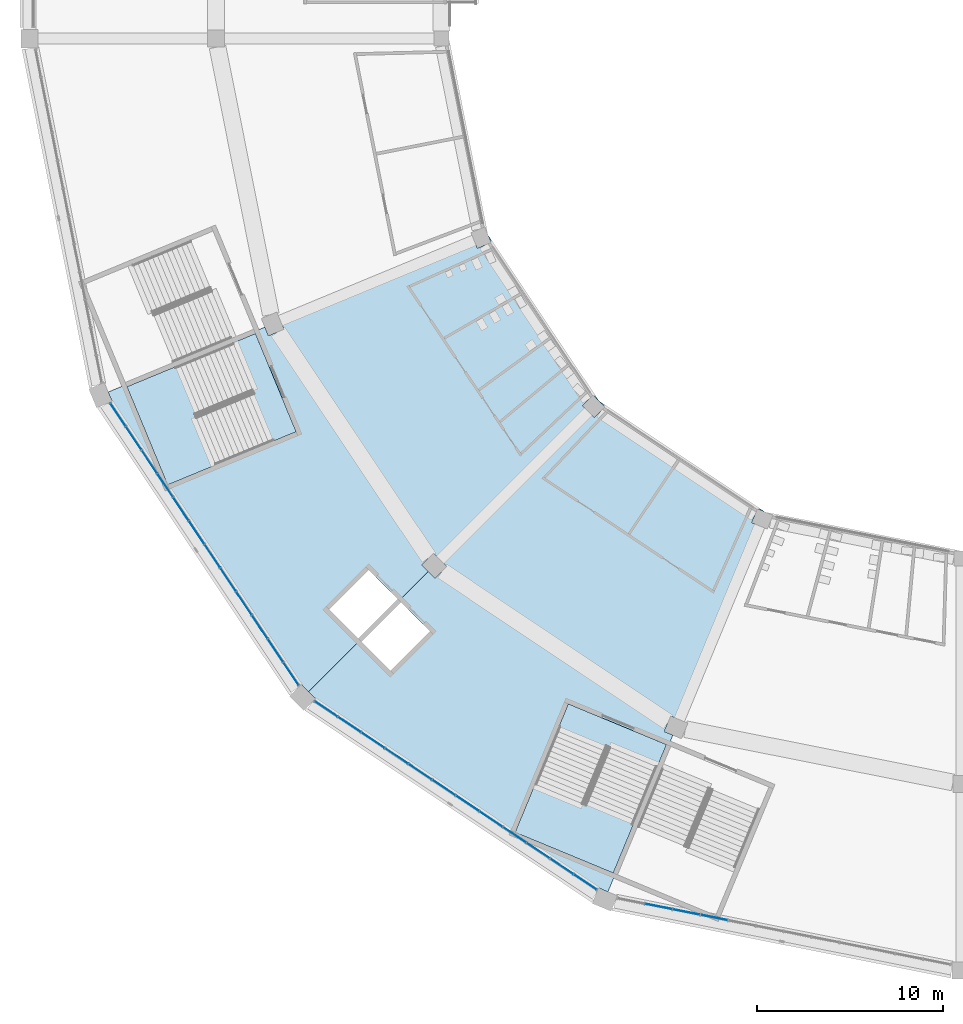
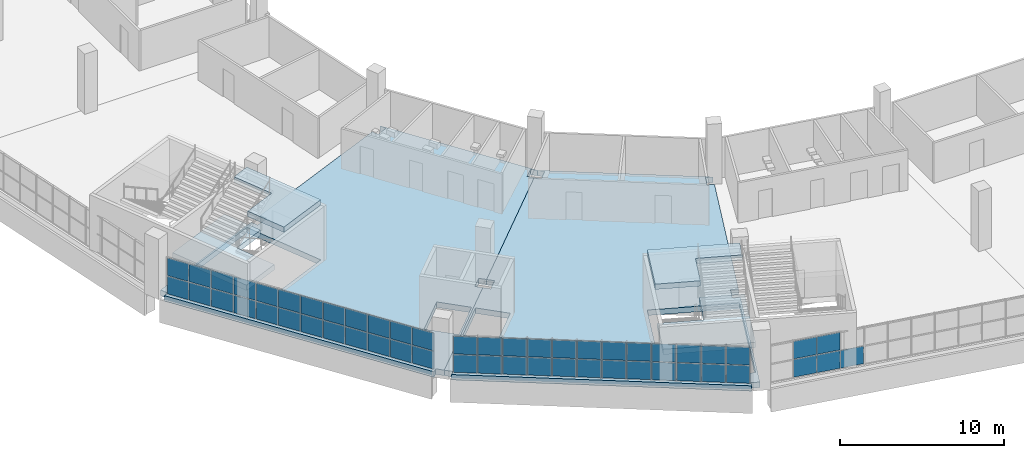
# One storey, part 55 of 199: 53 plates, 6 slabs, 5 elements without a shape of their own.
"""IFC4 building model written with IfcOpenShell, lengths in metres."""

from ifc_helpers import new_model, si_unit, direction, frame, origin, origin_2d, place, context, subcontext, project, spatial, polyline, rectangle, outline, extrude, material, layer, layer_set, type_object, element, aggregate, save


model = new_model("IFC4")

# Units and contexts
model_context = context("Model", 3, precision=1e-05, world=origin(), true_north=direction((0.0, 1.0)))
body_context = subcontext(model_context, "Body", "Model", "MODEL_VIEW")
ifc_project = project(units=[si_unit("LENGTHUNIT", "METRE"), si_unit("AREAUNIT", "SQUARE_METRE"), si_unit("VOLUMEUNIT", "CUBIC_METRE"), si_unit("PLANEANGLEUNIT", "RADIAN"), si_unit("MASSUNIT", "GRAM", prefix="KILO")], contexts=[model_context])

# Site, building, storey
site_placement = place(None, origin())
site = spatial("IfcSite", under=ifc_project, at=site_placement, CompositionType="ELEMENT")
building_placement = place(site_placement, origin())
building = spatial("IfcBuilding", under=site, at=building_placement, Name="Ogive Plaza Stadium", CompositionType="ELEMENT")
storey_placement = place(building_placement, frame((0.0, 0.0, 9.0)))
storey = spatial("IfcBuildingStorey", under=building, at=storey_placement, Name="L02", CompositionType="ELEMENT", Elevation=9.0)

# Curtain wall, plates
ifc_material_1 = material(Name="Bronze-anodised aluminium with laminated glass", Category="aluminium")
curtain_wall_type = type_object("IfcCurtainWallType", Name="Lancet curtain wall", PredefinedType="NOTDEFINED", material=ifc_material_1)
curtain_wall_1_placement = place(storey_placement, origin())
curtain_wall_1 = element("IfcCurtainWall", 1, at=curtain_wall_1_placement, inside=storey, type_object=curtain_wall_type, Name="CURTAIN WALL B17 L02", PredefinedType="NOTDEFINED")
ifc_material_2 = material(Name="Laminated glass", Category="glass")
ifc_layer_1 = layer(ifc_material_2, 0.028076171875)
ifc_layer_set_1 = layer_set([ifc_layer_1], Name="Laminated glass panel 28")
plate_type = type_object("IfcPlateType", Name="Laminated glass panel 28", PredefinedType="CURTAIN_PANEL", material=ifc_layer_set_1)
plate_1_placement = place(storey_placement, frame((-47.2607421875, -99.658447265625, 0.0498046875), z_axis=(0.0, 0.0, 1.0), x_axis=(-0.9807852804, 0.195090322033, 0.0)))
plate_1 = element("IfcPlate", 2, at=plate_1_placement, type_object=plate_type, Name="CW-B17-L02 panel 9.1", PredefinedType="CURTAIN_PANEL", context=body_context, shape_type="SweptSolid", body=[
    extrude(rectangle(XDim=1.472412109375, YDim=0.028076171875, at=origin_2d()), origin(), (0.0, 0.0, 1.0), 1.320068359375),
])
plate_2_placement = place(storey_placement, frame((-48.75390625, -99.361328125, 0.0498046875), z_axis=(0.0, 0.0, 1.0), x_axis=(-0.9807852804, 0.195090322033, 0.0)))
plate_2 = element("IfcPlate", 3, at=plate_2_placement, type_object=plate_type, Name="CW-B17-L02 panel 10.1", PredefinedType="CURTAIN_PANEL", context=body_context, shape_type="SweptSolid", body=[
    extrude(rectangle(XDim=1.472412109375, YDim=0.028076171875, at=origin_2d()), origin(), (0.0, 0.0, 1.0), 1.320068359375),
])
plate_3_placement = place(storey_placement, frame((-48.75390625, -99.361328125, 1.419921875), z_axis=(0.0, 0.0, 1.0), x_axis=(-0.9807852804, 0.195090322033, 0.0)))
plate_3 = element("IfcPlate", 4, at=plate_3_placement, type_object=plate_type, Name="CW-B17-L02 panel 10.2", PredefinedType="CURTAIN_PANEL", context=body_context, shape_type="SweptSolid", body=[
    extrude(rectangle(XDim=1.472412109375, YDim=0.028076171875, at=origin_2d()), origin(), (0.0, 0.0, 1.0), 1.320068359375),
])
plate_4_placement = place(storey_placement, frame((-50.2470703125, -99.064453125, 0.0498046875), z_axis=(0.0, 0.0, 1.0), x_axis=(-0.9807852804, 0.195090322033, 0.0)))
plate_4 = element("IfcPlate", 5, at=plate_4_placement, type_object=plate_type, Name="CW-B17-L02 panel 11.1", PredefinedType="CURTAIN_PANEL", context=body_context, shape_type="SweptSolid", body=[
    extrude(rectangle(XDim=1.472412109375, YDim=0.028076171875, at=origin_2d()), origin(), (0.0, 0.0, 1.0), 1.320068359375),
])
plate_5_placement = place(storey_placement, frame((-50.2470703125, -99.064453125, 1.419921875), z_axis=(0.0, 0.0, 1.0), x_axis=(-0.9807852804, 0.195090322033, 0.0)))
plate_5 = element("IfcPlate", 6, at=plate_5_placement, type_object=plate_type, Name="CW-B17-L02 panel 11.2", PredefinedType="CURTAIN_PANEL", context=body_context, shape_type="SweptSolid", body=[
    extrude(rectangle(XDim=1.472412109375, YDim=0.028076171875, at=origin_2d()), origin(), (0.0, 0.0, 1.0), 1.320068359375),
])
aggregate(curtain_wall_1, [plate_1, plate_2, plate_3, plate_4, plate_5])

curtain_wall_2_placement = place(storey_placement, origin())
curtain_wall_2 = element("IfcCurtainWall", 7, at=curtain_wall_2_placement, inside=storey, type_object=curtain_wall_type, Name="CURTAIN WALL B18 L02", PredefinedType="NOTDEFINED")
plate_6_placement = place(storey_placement, frame((-54.18212890625, -97.753173828125, 0.0498046875), z_axis=(0.0, 0.0, 1.0), x_axis=(-0.831469612303, 0.55557023302, 0.0)))
plate_6 = element("IfcPlate", 8, at=plate_6_placement, type_object=plate_type, Name="CW-B18-L02 panel 1.1", PredefinedType="CURTAIN_PANEL", context=body_context, shape_type="SweptSolid", body=[
    extrude(rectangle(XDim=1.447265625, YDim=0.028076171875, at=origin_2d()), origin(), (0.0, 0.0, 1.0), 1.320068359375),
])
plate_7_placement = place(storey_placement, frame((-54.18212890625, -97.753173828125, 1.419921875), z_axis=(0.0, 0.0, 1.0), x_axis=(-0.831469612303, 0.55557023302, 0.0)))
plate_7 = element("IfcPlate", 9, at=plate_7_placement, type_object=plate_type, Name="CW-B18-L02 panel 1.2", PredefinedType="CURTAIN_PANEL", context=body_context, shape_type="SweptSolid", body=[
    extrude(rectangle(XDim=1.447265625, YDim=0.028076171875, at=origin_2d()), origin(), (0.0, 0.0, 1.0), 1.320068359375),
])
plate_8_placement = place(storey_placement, frame((-55.4375, -96.914306640625, 0.0498046875), z_axis=(0.0, 0.0, 1.0), x_axis=(-0.831469612303, 0.55557023302, 0.0)))
plate_8 = element("IfcPlate", 10, at=plate_8_placement, type_object=plate_type, Name="CW-B18-L02 panel 2.1", PredefinedType="CURTAIN_PANEL", context=body_context, shape_type="SweptSolid", body=[
    extrude(rectangle(XDim=1.472412109375, YDim=0.028076171875, at=origin_2d()), origin(), (0.0, 0.0, 1.0), 1.320068359375),
])
plate_9_placement = place(storey_placement, frame((-55.4375, -96.914306640625, 1.419921875), z_axis=(0.0, 0.0, 1.0), x_axis=(-0.831469612303, 0.55557023302, 0.0)))
plate_9 = element("IfcPlate", 11, at=plate_9_placement, type_object=plate_type, Name="CW-B18-L02 panel 2.2", PredefinedType="CURTAIN_PANEL", context=body_context, shape_type="SweptSolid", body=[
    extrude(rectangle(XDim=1.472412109375, YDim=0.028076171875, at=origin_2d()), origin(), (0.0, 0.0, 1.0), 1.320068359375),
])
plate_10_placement = place(storey_placement, frame((-56.703369140625, -96.068603515625, 0.0498046875), z_axis=(0.0, 0.0, 1.0), x_axis=(-0.831469612303, 0.55557023302, 0.0)))
plate_10 = element("IfcPlate", 12, at=plate_10_placement, type_object=plate_type, Name="CW-B18-L02 panel 3.1", PredefinedType="CURTAIN_PANEL", context=body_context, shape_type="SweptSolid", body=[
    extrude(rectangle(XDim=1.472412109375, YDim=0.028076171875, at=origin_2d()), origin(), (0.0, 0.0, 1.0), 1.320068359375),
])
plate_11_placement = place(storey_placement, frame((-56.703369140625, -96.068603515625, 1.419921875), z_axis=(0.0, 0.0, 1.0), x_axis=(-0.831469612303, 0.55557023302, 0.0)))
plate_11 = element("IfcPlate", 13, at=plate_11_placement, type_object=plate_type, Name="CW-B18-L02 panel 3.2", PredefinedType="CURTAIN_PANEL", context=body_context, shape_type="SweptSolid", body=[
    extrude(rectangle(XDim=1.472412109375, YDim=0.028076171875, at=origin_2d()), origin(), (0.0, 0.0, 1.0), 1.320068359375),
])
plate_12_placement = place(storey_placement, frame((-57.96923828125, -95.222900390625, 0.0498046875), z_axis=(0.0, 0.0, 1.0), x_axis=(-0.831469612303, 0.55557023302, 0.0)))
plate_12 = element("IfcPlate", 14, at=plate_12_placement, type_object=plate_type, Name="CW-B18-L02 panel 4.1", PredefinedType="CURTAIN_PANEL", context=body_context, shape_type="SweptSolid", body=[
    extrude(rectangle(XDim=1.472412109375, YDim=0.028076171875, at=origin_2d()), origin(), (0.0, 0.0, 1.0), 1.320068359375),
])
plate_13_placement = place(storey_placement, frame((-57.96923828125, -95.222900390625, 1.419921875), z_axis=(0.0, 0.0, 1.0), x_axis=(-0.831469612303, 0.55557023302, 0.0)))
plate_13 = element("IfcPlate", 15, at=plate_13_placement, type_object=plate_type, Name="CW-B18-L02 panel 4.2", PredefinedType="CURTAIN_PANEL", context=body_context, shape_type="SweptSolid", body=[
    extrude(rectangle(XDim=1.472412109375, YDim=0.028076171875, at=origin_2d()), origin(), (0.0, 0.0, 1.0), 1.320068359375),
])
plate_14_placement = place(storey_placement, frame((-59.23486328125, -94.376953125, 0.0498046875), z_axis=(0.0, 0.0, 1.0), x_axis=(-0.831469612303, 0.55557023302, 0.0)))
plate_14 = element("IfcPlate", 16, at=plate_14_placement, type_object=plate_type, Name="CW-B18-L02 panel 5.1", PredefinedType="CURTAIN_PANEL", context=body_context, shape_type="SweptSolid", body=[
    extrude(rectangle(XDim=1.472412109375, YDim=0.028076171875, at=origin_2d()), origin(), (0.0, 0.0, 1.0), 1.320068359375),
])
plate_15_placement = place(storey_placement, frame((-59.23486328125, -94.376953125, 1.419921875), z_axis=(0.0, 0.0, 1.0), x_axis=(-0.831469612303, 0.55557023302, 0.0)))
plate_15 = element("IfcPlate", 17, at=plate_15_placement, type_object=plate_type, Name="CW-B18-L02 panel 5.2", PredefinedType="CURTAIN_PANEL", context=body_context, shape_type="SweptSolid", body=[
    extrude(rectangle(XDim=1.472412109375, YDim=0.028076171875, at=origin_2d()), origin(), (0.0, 0.0, 1.0), 1.320068359375),
])
plate_16_placement = place(storey_placement, frame((-60.500732421875, -93.53125, 0.0498046875), z_axis=(0.0, 0.0, 1.0), x_axis=(-0.831469612303, 0.55557023302, 0.0)))
plate_16 = element("IfcPlate", 18, at=plate_16_placement, type_object=plate_type, Name="CW-B18-L02 panel 6.1", PredefinedType="CURTAIN_PANEL", context=body_context, shape_type="SweptSolid", body=[
    extrude(rectangle(XDim=1.472412109375, YDim=0.028076171875, at=origin_2d()), origin(), (0.0, 0.0, 1.0), 1.320068359375),
])
plate_17_placement = place(storey_placement, frame((-60.500732421875, -93.53125, 1.419921875), z_axis=(0.0, 0.0, 1.0), x_axis=(-0.831469612303, 0.55557023302, 0.0)))
plate_17 = element("IfcPlate", 19, at=plate_17_placement, type_object=plate_type, Name="CW-B18-L02 panel 6.2", PredefinedType="CURTAIN_PANEL", context=body_context, shape_type="SweptSolid", body=[
    extrude(rectangle(XDim=1.472412109375, YDim=0.028076171875, at=origin_2d()), origin(), (0.0, 0.0, 1.0), 1.320068359375),
])
plate_18_placement = place(storey_placement, frame((-61.7666015625, -92.685546875, 0.0498046875), z_axis=(0.0, 0.0, 1.0), x_axis=(-0.831469612303, 0.55557023302, 0.0)))
plate_18 = element("IfcPlate", 20, at=plate_18_placement, type_object=plate_type, Name="CW-B18-L02 panel 7.1", PredefinedType="CURTAIN_PANEL", context=body_context, shape_type="SweptSolid", body=[
    extrude(rectangle(XDim=1.472412109375, YDim=0.028076171875, at=origin_2d()), origin(), (0.0, 0.0, 1.0), 1.320068359375),
])
plate_19_placement = place(storey_placement, frame((-61.7666015625, -92.685546875, 1.419921875), z_axis=(0.0, 0.0, 1.0), x_axis=(-0.831469612303, 0.55557023302, 0.0)))
plate_19 = element("IfcPlate", 21, at=plate_19_placement, type_object=plate_type, Name="CW-B18-L02 panel 7.2", PredefinedType="CURTAIN_PANEL", context=body_context, shape_type="SweptSolid", body=[
    extrude(rectangle(XDim=1.472412109375, YDim=0.028076171875, at=origin_2d()), origin(), (0.0, 0.0, 1.0), 1.320068359375),
])
plate_20_placement = place(storey_placement, frame((-63.0322265625, -91.839599609375, 0.0498046875), z_axis=(0.0, 0.0, 1.0), x_axis=(-0.831469612303, 0.55557023302, 0.0)))
plate_20 = element("IfcPlate", 22, at=plate_20_placement, type_object=plate_type, Name="CW-B18-L02 panel 8.1", PredefinedType="CURTAIN_PANEL", context=body_context, shape_type="SweptSolid", body=[
    extrude(rectangle(XDim=1.472412109375, YDim=0.028076171875, at=origin_2d()), origin(), (0.0, 0.0, 1.0), 1.320068359375),
])
plate_21_placement = place(storey_placement, frame((-63.0322265625, -91.839599609375, 1.419921875), z_axis=(0.0, 0.0, 1.0), x_axis=(-0.831469612303, 0.55557023302, 0.0)))
plate_21 = element("IfcPlate", 23, at=plate_21_placement, type_object=plate_type, Name="CW-B18-L02 panel 8.2", PredefinedType="CURTAIN_PANEL", context=body_context, shape_type="SweptSolid", body=[
    extrude(rectangle(XDim=1.472412109375, YDim=0.028076171875, at=origin_2d()), origin(), (0.0, 0.0, 1.0), 1.320068359375),
])
plate_22_placement = place(storey_placement, frame((-64.298095703125, -90.993896484375, 0.0498046875), z_axis=(0.0, 0.0, 1.0), x_axis=(-0.831469612303, 0.55557023302, 0.0)))
plate_22 = element("IfcPlate", 24, at=plate_22_placement, type_object=plate_type, Name="CW-B18-L02 panel 9.1", PredefinedType="CURTAIN_PANEL", context=body_context, shape_type="SweptSolid", body=[
    extrude(rectangle(XDim=1.472412109375, YDim=0.028076171875, at=origin_2d()), origin(), (0.0, 0.0, 1.0), 1.320068359375),
])
plate_23_placement = place(storey_placement, frame((-64.298095703125, -90.993896484375, 1.419921875), z_axis=(0.0, 0.0, 1.0), x_axis=(-0.831469612303, 0.55557023302, 0.0)))
plate_23 = element("IfcPlate", 25, at=plate_23_placement, type_object=plate_type, Name="CW-B18-L02 panel 9.2", PredefinedType="CURTAIN_PANEL", context=body_context, shape_type="SweptSolid", body=[
    extrude(rectangle(XDim=1.472412109375, YDim=0.028076171875, at=origin_2d()), origin(), (0.0, 0.0, 1.0), 1.320068359375),
])
plate_24_placement = place(storey_placement, frame((-65.56396484375, -90.148193359375, 0.0498046875), z_axis=(0.0, 0.0, 1.0), x_axis=(-0.831469612303, 0.55557023302, 0.0)))
plate_24 = element("IfcPlate", 26, at=plate_24_placement, type_object=plate_type, Name="CW-B18-L02 panel 10.1", PredefinedType="CURTAIN_PANEL", context=body_context, shape_type="SweptSolid", body=[
    extrude(rectangle(XDim=1.472412109375, YDim=0.028076171875, at=origin_2d()), origin(), (0.0, 0.0, 1.0), 1.320068359375),
])
plate_25_placement = place(storey_placement, frame((-65.56396484375, -90.148193359375, 1.419921875), z_axis=(0.0, 0.0, 1.0), x_axis=(-0.831469612303, 0.55557023302, 0.0)))
plate_25 = element("IfcPlate", 27, at=plate_25_placement, type_object=plate_type, Name="CW-B18-L02 panel 10.2", PredefinedType="CURTAIN_PANEL", context=body_context, shape_type="SweptSolid", body=[
    extrude(rectangle(XDim=1.472412109375, YDim=0.028076171875, at=origin_2d()), origin(), (0.0, 0.0, 1.0), 1.320068359375),
])
plate_26_placement = place(storey_placement, frame((-66.82958984375, -89.302490234375, 0.0498046875), z_axis=(0.0, 0.0, 1.0), x_axis=(-0.831469612303, 0.55557023302, 0.0)))
plate_26 = element("IfcPlate", 28, at=plate_26_placement, type_object=plate_type, Name="CW-B18-L02 panel 11.1", PredefinedType="CURTAIN_PANEL", context=body_context, shape_type="SweptSolid", body=[
    extrude(rectangle(XDim=1.472412109375, YDim=0.028076171875, at=origin_2d()), origin(), (0.0, 0.0, 1.0), 1.320068359375),
])
plate_27_placement = place(storey_placement, frame((-66.82958984375, -89.302490234375, 1.419921875), z_axis=(0.0, 0.0, 1.0), x_axis=(-0.831469612303, 0.55557023302, 0.0)))
plate_27 = element("IfcPlate", 29, at=plate_27_placement, type_object=plate_type, Name="CW-B18-L02 panel 11.2", PredefinedType="CURTAIN_PANEL", context=body_context, shape_type="SweptSolid", body=[
    extrude(rectangle(XDim=1.472412109375, YDim=0.028076171875, at=origin_2d()), origin(), (0.0, 0.0, 1.0), 1.320068359375),
])
plate_28_placement = place(storey_placement, frame((-68.0849609375, -88.463623046875, 0.0498046875), z_axis=(0.0, 0.0, 1.0), x_axis=(-0.831469612303, 0.55557023302, 0.0)))
plate_28 = element("IfcPlate", 30, at=plate_28_placement, type_object=plate_type, Name="CW-B18-L02 panel 12.1", PredefinedType="CURTAIN_PANEL", context=body_context, shape_type="SweptSolid", body=[
    extrude(rectangle(XDim=1.447265625, YDim=0.028076171875, at=origin_2d()), origin(), (0.0, 0.0, 1.0), 1.320068359375),
])
plate_29_placement = place(storey_placement, frame((-68.0849609375, -88.463623046875, 1.419921875), z_axis=(0.0, 0.0, 1.0), x_axis=(-0.831469612303, 0.55557023302, 0.0)))
plate_29 = element("IfcPlate", 31, at=plate_29_placement, type_object=plate_type, Name="CW-B18-L02 panel 12.2", PredefinedType="CURTAIN_PANEL", context=body_context, shape_type="SweptSolid", body=[
    extrude(rectangle(XDim=1.447265625, YDim=0.028076171875, at=origin_2d()), origin(), (0.0, 0.0, 1.0), 1.320068359375),
])
aggregate(curtain_wall_2, [plate_6, plate_7, plate_8, plate_9, plate_10, plate_11, plate_12, plate_13, plate_14, plate_15, plate_16, plate_17, plate_18, plate_19, plate_20, plate_21, plate_22, plate_23, plate_24, plate_25, plate_26, plate_27, plate_28, plate_29])

curtain_wall_3_placement = place(storey_placement, origin())
curtain_wall_3 = element("IfcCurtainWall", 32, at=curtain_wall_3_placement, inside=storey, type_object=curtain_wall_type, Name="CURTAIN WALL B19 L02", PredefinedType="NOTDEFINED")
plate_30_placement = place(storey_placement, frame((-69.963623046875, -86.5849609375, 0.0498046875), z_axis=(0.0, 0.0, 1.0), x_axis=(-0.55557023302, 0.831469612303, 0.0)))
plate_30 = element("IfcPlate", 33, at=plate_30_placement, type_object=plate_type, Name="CW-B19-L02 panel 1.1", PredefinedType="CURTAIN_PANEL", context=body_context, shape_type="SweptSolid", body=[
    extrude(rectangle(XDim=1.447265625, YDim=0.028076171875, at=origin_2d()), origin(), (0.0, 0.0, 1.0), 1.320068359375),
])
plate_31_placement = place(storey_placement, frame((-69.963623046875, -86.5849609375, 1.419921875), z_axis=(0.0, 0.0, 1.0), x_axis=(-0.55557023302, 0.831469612303, 0.0)))
plate_31 = element("IfcPlate", 34, at=plate_31_placement, type_object=plate_type, Name="CW-B19-L02 panel 1.2", PredefinedType="CURTAIN_PANEL", context=body_context, shape_type="SweptSolid", body=[
    extrude(rectangle(XDim=1.447265625, YDim=0.028076171875, at=origin_2d()), origin(), (0.0, 0.0, 1.0), 1.320068359375),
])
plate_32_placement = place(storey_placement, frame((-70.802490234375, -85.32958984375, 0.0498046875), z_axis=(0.0, 0.0, 1.0), x_axis=(-0.55557023302, 0.831469612303, 0.0)))
plate_32 = element("IfcPlate", 35, at=plate_32_placement, type_object=plate_type, Name="CW-B19-L02 panel 2.1", PredefinedType="CURTAIN_PANEL", context=body_context, shape_type="SweptSolid", body=[
    extrude(rectangle(XDim=1.472412109375, YDim=0.028076171875, at=origin_2d()), origin(), (0.0, 0.0, 1.0), 1.320068359375),
])
plate_33_placement = place(storey_placement, frame((-70.802490234375, -85.32958984375, 1.419921875), z_axis=(0.0, 0.0, 1.0), x_axis=(-0.55557023302, 0.831469612303, 0.0)))
plate_33 = element("IfcPlate", 36, at=plate_33_placement, type_object=plate_type, Name="CW-B19-L02 panel 2.2", PredefinedType="CURTAIN_PANEL", context=body_context, shape_type="SweptSolid", body=[
    extrude(rectangle(XDim=1.472412109375, YDim=0.028076171875, at=origin_2d()), origin(), (0.0, 0.0, 1.0), 1.320068359375),
])
plate_34_placement = place(storey_placement, frame((-71.648193359375, -84.06396484375, 0.0498046875), z_axis=(0.0, 0.0, 1.0), x_axis=(-0.55557023302, 0.831469612303, 0.0)))
plate_34 = element("IfcPlate", 37, at=plate_34_placement, type_object=plate_type, Name="CW-B19-L02 panel 3.1", PredefinedType="CURTAIN_PANEL", context=body_context, shape_type="SweptSolid", body=[
    extrude(rectangle(XDim=1.472412109375, YDim=0.028076171875, at=origin_2d()), origin(), (0.0, 0.0, 1.0), 1.320068359375),
])
plate_35_placement = place(storey_placement, frame((-71.648193359375, -84.06396484375, 1.419921875), z_axis=(0.0, 0.0, 1.0), x_axis=(-0.55557023302, 0.831469612303, 0.0)))
plate_35 = element("IfcPlate", 38, at=plate_35_placement, type_object=plate_type, Name="CW-B19-L02 panel 3.2", PredefinedType="CURTAIN_PANEL", context=body_context, shape_type="SweptSolid", body=[
    extrude(rectangle(XDim=1.472412109375, YDim=0.028076171875, at=origin_2d()), origin(), (0.0, 0.0, 1.0), 1.320068359375),
])
plate_36_placement = place(storey_placement, frame((-72.493896484375, -82.798095703125, 0.0498046875), z_axis=(0.0, 0.0, 1.0), x_axis=(-0.55557023302, 0.831469612303, 0.0)))
plate_36 = element("IfcPlate", 39, at=plate_36_placement, type_object=plate_type, Name="CW-B19-L02 panel 4.1", PredefinedType="CURTAIN_PANEL", context=body_context, shape_type="SweptSolid", body=[
    extrude(rectangle(XDim=1.472412109375, YDim=0.028076171875, at=origin_2d()), origin(), (0.0, 0.0, 1.0), 1.320068359375),
])
plate_37_placement = place(storey_placement, frame((-72.493896484375, -82.798095703125, 1.419921875), z_axis=(0.0, 0.0, 1.0), x_axis=(-0.55557023302, 0.831469612303, 0.0)))
plate_37 = element("IfcPlate", 40, at=plate_37_placement, type_object=plate_type, Name="CW-B19-L02 panel 4.2", PredefinedType="CURTAIN_PANEL", context=body_context, shape_type="SweptSolid", body=[
    extrude(rectangle(XDim=1.472412109375, YDim=0.028076171875, at=origin_2d()), origin(), (0.0, 0.0, 1.0), 1.320068359375),
])
plate_38_placement = place(storey_placement, frame((-73.339599609375, -81.5322265625, 0.0498046875), z_axis=(0.0, 0.0, 1.0), x_axis=(-0.55557023302, 0.831469612303, 0.0)))
plate_38 = element("IfcPlate", 41, at=plate_38_placement, type_object=plate_type, Name="CW-B19-L02 panel 5.1", PredefinedType="CURTAIN_PANEL", context=body_context, shape_type="SweptSolid", body=[
    extrude(rectangle(XDim=1.472412109375, YDim=0.028076171875, at=origin_2d()), origin(), (0.0, 0.0, 1.0), 1.320068359375),
])
plate_39_placement = place(storey_placement, frame((-73.339599609375, -81.5322265625, 1.419921875), z_axis=(0.0, 0.0, 1.0), x_axis=(-0.55557023302, 0.831469612303, 0.0)))
plate_39 = element("IfcPlate", 42, at=plate_39_placement, type_object=plate_type, Name="CW-B19-L02 panel 5.2", PredefinedType="CURTAIN_PANEL", context=body_context, shape_type="SweptSolid", body=[
    extrude(rectangle(XDim=1.472412109375, YDim=0.028076171875, at=origin_2d()), origin(), (0.0, 0.0, 1.0), 1.320068359375),
])
plate_40_placement = place(storey_placement, frame((-74.185546875, -80.2666015625, 0.0498046875), z_axis=(0.0, 0.0, 1.0), x_axis=(-0.55557023302, 0.831469612303, 0.0)))
plate_40 = element("IfcPlate", 43, at=plate_40_placement, type_object=plate_type, Name="CW-B19-L02 panel 6.1", PredefinedType="CURTAIN_PANEL", context=body_context, shape_type="SweptSolid", body=[
    extrude(rectangle(XDim=1.472412109375, YDim=0.028076171875, at=origin_2d()), origin(), (0.0, 0.0, 1.0), 1.320068359375),
])
plate_41_placement = place(storey_placement, frame((-74.185546875, -80.2666015625, 1.419921875), z_axis=(0.0, 0.0, 1.0), x_axis=(-0.55557023302, 0.831469612303, 0.0)))
plate_41 = element("IfcPlate", 44, at=plate_41_placement, type_object=plate_type, Name="CW-B19-L02 panel 6.2", PredefinedType="CURTAIN_PANEL", context=body_context, shape_type="SweptSolid", body=[
    extrude(rectangle(XDim=1.472412109375, YDim=0.028076171875, at=origin_2d()), origin(), (0.0, 0.0, 1.0), 1.320068359375),
])
plate_42_placement = place(storey_placement, frame((-75.03125, -79.000732421875, 0.0498046875), z_axis=(0.0, 0.0, 1.0), x_axis=(-0.55557023302, 0.831469612303, 0.0)))
plate_42 = element("IfcPlate", 45, at=plate_42_placement, type_object=plate_type, Name="CW-B19-L02 panel 7.1", PredefinedType="CURTAIN_PANEL", context=body_context, shape_type="SweptSolid", body=[
    extrude(rectangle(XDim=1.472412109375, YDim=0.028076171875, at=origin_2d()), origin(), (0.0, 0.0, 1.0), 1.320068359375),
])
plate_43_placement = place(storey_placement, frame((-75.03125, -79.000732421875, 1.419921875), z_axis=(0.0, 0.0, 1.0), x_axis=(-0.55557023302, 0.831469612303, 0.0)))
plate_43 = element("IfcPlate", 46, at=plate_43_placement, type_object=plate_type, Name="CW-B19-L02 panel 7.2", PredefinedType="CURTAIN_PANEL", context=body_context, shape_type="SweptSolid", body=[
    extrude(rectangle(XDim=1.472412109375, YDim=0.028076171875, at=origin_2d()), origin(), (0.0, 0.0, 1.0), 1.320068359375),
])
plate_44_placement = place(storey_placement, frame((-75.876953125, -77.73486328125, 0.0498046875), z_axis=(0.0, 0.0, 1.0), x_axis=(-0.55557023302, 0.831469612303, 0.0)))
plate_44 = element("IfcPlate", 47, at=plate_44_placement, type_object=plate_type, Name="CW-B19-L02 panel 8.1", PredefinedType="CURTAIN_PANEL", context=body_context, shape_type="SweptSolid", body=[
    extrude(rectangle(XDim=1.472412109375, YDim=0.028076171875, at=origin_2d()), origin(), (0.0, 0.0, 1.0), 1.320068359375),
])
plate_45_placement = place(storey_placement, frame((-75.876953125, -77.73486328125, 1.419921875), z_axis=(0.0, 0.0, 1.0), x_axis=(-0.55557023302, 0.831469612303, 0.0)))
plate_45 = element("IfcPlate", 48, at=plate_45_placement, type_object=plate_type, Name="CW-B19-L02 panel 8.2", PredefinedType="CURTAIN_PANEL", context=body_context, shape_type="SweptSolid", body=[
    extrude(rectangle(XDim=1.472412109375, YDim=0.028076171875, at=origin_2d()), origin(), (0.0, 0.0, 1.0), 1.320068359375),
])
plate_46_placement = place(storey_placement, frame((-76.722900390625, -76.46923828125, 0.0498046875), z_axis=(0.0, 0.0, 1.0), x_axis=(-0.55557023302, 0.831469612303, 0.0)))
plate_46 = element("IfcPlate", 49, at=plate_46_placement, type_object=plate_type, Name="CW-B19-L02 panel 9.1", PredefinedType="CURTAIN_PANEL", context=body_context, shape_type="SweptSolid", body=[
    extrude(rectangle(XDim=1.472412109375, YDim=0.028076171875, at=origin_2d()), origin(), (0.0, 0.0, 1.0), 1.320068359375),
])
plate_47_placement = place(storey_placement, frame((-76.722900390625, -76.46923828125, 1.419921875), z_axis=(0.0, 0.0, 1.0), x_axis=(-0.55557023302, 0.831469612303, 0.0)))
plate_47 = element("IfcPlate", 50, at=plate_47_placement, type_object=plate_type, Name="CW-B19-L02 panel 9.2", PredefinedType="CURTAIN_PANEL", context=body_context, shape_type="SweptSolid", body=[
    extrude(rectangle(XDim=1.472412109375, YDim=0.028076171875, at=origin_2d()), origin(), (0.0, 0.0, 1.0), 1.320068359375),
])
plate_48_placement = place(storey_placement, frame((-77.568603515625, -75.203369140625, 0.0498046875), z_axis=(0.0, 0.0, 1.0), x_axis=(-0.55557023302, 0.831469612303, 0.0)))
plate_48 = element("IfcPlate", 51, at=plate_48_placement, type_object=plate_type, Name="CW-B19-L02 panel 10.1", PredefinedType="CURTAIN_PANEL", context=body_context, shape_type="SweptSolid", body=[
    extrude(rectangle(XDim=1.472412109375, YDim=0.028076171875, at=origin_2d()), origin(), (0.0, 0.0, 1.0), 1.320068359375),
])
plate_49_placement = place(storey_placement, frame((-77.568603515625, -75.203369140625, 1.419921875), z_axis=(0.0, 0.0, 1.0), x_axis=(-0.55557023302, 0.831469612303, 0.0)))
plate_49 = element("IfcPlate", 52, at=plate_49_placement, type_object=plate_type, Name="CW-B19-L02 panel 10.2", PredefinedType="CURTAIN_PANEL", context=body_context, shape_type="SweptSolid", body=[
    extrude(rectangle(XDim=1.472412109375, YDim=0.028076171875, at=origin_2d()), origin(), (0.0, 0.0, 1.0), 1.320068359375),
])
plate_50_placement = place(storey_placement, frame((-78.414306640625, -73.9375, 0.0498046875), z_axis=(0.0, 0.0, 1.0), x_axis=(-0.55557023302, 0.831469612303, 0.0)))
plate_50 = element("IfcPlate", 53, at=plate_50_placement, type_object=plate_type, Name="CW-B19-L02 panel 11.1", PredefinedType="CURTAIN_PANEL", context=body_context, shape_type="SweptSolid", body=[
    extrude(rectangle(XDim=1.472412109375, YDim=0.028076171875, at=origin_2d()), origin(), (0.0, 0.0, 1.0), 1.320068359375),
])
plate_51_placement = place(storey_placement, frame((-78.414306640625, -73.9375, 1.419921875), z_axis=(0.0, 0.0, 1.0), x_axis=(-0.55557023302, 0.831469612303, 0.0)))
plate_51 = element("IfcPlate", 54, at=plate_51_placement, type_object=plate_type, Name="CW-B19-L02 panel 11.2", PredefinedType="CURTAIN_PANEL", context=body_context, shape_type="SweptSolid", body=[
    extrude(rectangle(XDim=1.472412109375, YDim=0.028076171875, at=origin_2d()), origin(), (0.0, 0.0, 1.0), 1.320068359375),
])
plate_52_placement = place(storey_placement, frame((-79.253173828125, -72.68212890625, 0.0498046875), z_axis=(0.0, 0.0, 1.0), x_axis=(-0.55557023302, 0.831469612303, 0.0)))
plate_52 = element("IfcPlate", 55, at=plate_52_placement, type_object=plate_type, Name="CW-B19-L02 panel 12.1", PredefinedType="CURTAIN_PANEL", context=body_context, shape_type="SweptSolid", body=[
    extrude(rectangle(XDim=1.447265625, YDim=0.028076171875, at=origin_2d()), origin(), (0.0, 0.0, 1.0), 1.320068359375),
])
plate_53_placement = place(storey_placement, frame((-79.253173828125, -72.68212890625, 1.419921875), z_axis=(0.0, 0.0, 1.0), x_axis=(-0.55557023302, 0.831469612303, 0.0)))
plate_53 = element("IfcPlate", 56, at=plate_53_placement, type_object=plate_type, Name="CW-B19-L02 panel 12.2", PredefinedType="CURTAIN_PANEL", context=body_context, shape_type="SweptSolid", body=[
    extrude(rectangle(XDim=1.447265625, YDim=0.028076171875, at=origin_2d()), origin(), (0.0, 0.0, 1.0), 1.320068359375),
])
aggregate(curtain_wall_3, [plate_30, plate_31, plate_32, plate_33, plate_34, plate_35, plate_36, plate_37, plate_38, plate_39, plate_40, plate_41, plate_42, plate_43, plate_44, plate_45, plate_46, plate_47, plate_48, plate_49, plate_50, plate_51, plate_52, plate_53])

# Slabs
ifc_material_3 = material(Name="Concrete C40/50", Category="concrete")
ifc_layer_2 = layer(ifc_material_3, 0.409912109375)
ifc_layer_set_2 = layer_set([ifc_layer_2], Name="Concrete C40/50")
slab_type_1 = type_object("IfcSlabType", Name="RC floor slab 410", PredefinedType="FLOOR", material=ifc_layer_set_2)
slab_1_placement = place(storey_placement, frame((0.0, 0.0, -0.409912109375)))
element("IfcSlab", 57, at=slab_1_placement, inside=storey, type_object=slab_type_1, Name="Floor slab L02 B18", PredefinedType="FLOOR", context=body_context, shape_type="SweptSolid", body=[
    extrude(outline(polyline([(-61.966064453125, -80.466064453125), (-61.612548828125, -80.819580078125), (-62.2490234375, -81.4560546875), (-62.6025390625, -81.1025390625), (-69.037109375, -87.537109375), (-68.648193359375, -87.926025390625), (-68.88916015625, -88.1669921875), (-53.600341796875, -98.38232421875), (-53.47021484375, -98.06787109375), (-52.9619140625, -98.2783203125), (-49.4794921875, -89.870849609375), (-49.94140625, -89.6796875), (-49.59716796875, -88.84814453125), (-49.135009765625, -89.03955078125), (-44.829833984375, -78.645751953125), (-45.24560546875, -78.4736328125), (-44.939453125, -77.734375), (-44.523681640625, -77.90673828125), (-53.445556640625, -71.945556640625), (-53.127197265625, -72.263671875), (-53.69287109375, -72.829345703125), (-54.01123046875, -72.51123046875), (-61.966064453125, -80.466064453125)]), holes=[polyline([(-55.0908203125, -88.196044921875), (-57.945556640625, -95.08837890625), (-52.679443359375, -97.26953125), (-49.82470703125, -90.37744140625), (-55.0908203125, -88.196044921875)]), polyline([(-62.51416015625, -84.30224609375), (-64.06982421875, -82.74658203125), (-66.19091796875, -84.867919921875), (-64.635498046875, -86.42333984375), (-62.51416015625, -84.30224609375)])]), origin(), (0.0, 0.0, 1.0), 0.409912109375),
])
slab_2_placement = place(storey_placement, frame((0.0, 0.0, -0.409912109375)))
element("IfcSlab", 58, at=slab_2_placement, inside=storey, type_object=slab_type_1, Name="Floor slab L02 B19", PredefinedType="FLOOR", context=body_context, shape_type="SweptSolid", body=[
    extrude(outline(polyline([(-70.53955078125, -67.635009765625), (-70.34814453125, -68.09716796875), (-71.1796875, -68.44140625), (-71.370849609375, -67.9794921875), (-79.7783203125, -71.4619140625), (-79.56787109375, -71.97021484375), (-79.88232421875, -72.100341796875), (-69.6669921875, -87.38916015625), (-69.426025390625, -87.148193359375), (-69.037109375, -87.537109375), (-62.6025390625, -81.1025390625), (-62.9560546875, -80.7490234375), (-62.319580078125, -80.112548828125), (-61.966064453125, -80.466064453125), (-54.01123046875, -72.51123046875), (-54.329345703125, -72.19287109375), (-53.763671875, -71.627197265625), (-53.445556640625, -71.945556640625), (-59.40673828125, -63.023681640625), (-59.234375, -63.439453125), (-59.9736328125, -63.74560546875), (-60.145751953125, -63.329833984375), (-70.53955078125, -67.635009765625)]), holes=[polyline([(-64.24658203125, -82.56982421875), (-65.80224609375, -81.01416015625), (-67.92333984375, -83.135498046875), (-66.367919921875, -84.69091796875), (-64.24658203125, -82.56982421875)]), polyline([(-69.696044921875, -73.5908203125), (-71.87744140625, -68.32470703125), (-78.76953125, -71.179443359375), (-76.58837890625, -76.445556640625), (-69.696044921875, -73.5908203125)])]), origin(), (0.0, 0.0, 1.0), 0.409912109375),
])

# Stair, slabs
ifc_material_4 = material(Name="Concrete C40/50", Category="concrete")
stair_type = type_object("IfcStairType", Name="Exit stair", PredefinedType="STRAIGHT_RUN_STAIR", material=ifc_material_4)
stair_1_placement = place(storey_placement, origin())
stair_1 = element("IfcStair", 59, at=stair_1_placement, inside=storey, type_object=stair_type, Name="Exit stair ST18A L02 to L03", PredefinedType="STRAIGHT_RUN_STAIR")
ifc_material_5 = material(Name="Concrete C40/50", Category="concrete")
ifc_layer_3 = layer(ifc_material_5, 0.39990234375)
ifc_layer_set_3 = layer_set([ifc_layer_3], Name="Concrete C40/50")
slab_type_2 = type_object("IfcSlabType", Name="Stair landing", PredefinedType="LANDING", material=ifc_layer_set_3)
slab_3_placement = place(storey_placement, frame((0.0, 0.0, 1.85009765625)))
slab_3 = element("IfcSlab", 60, at=slab_3_placement, type_object=slab_type_2, Name="ST18A landing 1", PredefinedType="LANDING", context=body_context, shape_type="SweptSolid", body=[
    extrude(outline(polyline([(-52.679443359375, -97.26953125), (-57.945556640625, -95.08837890625), (-56.8740234375, -92.50146484375), (-54.19482421875, -93.611083984375), (-53.2763671875, -91.393798828125), (-50.689453125, -92.46533203125), (-51.60791015625, -94.6826171875), (-52.679443359375, -97.26953125)])), origin(), (0.0, 0.0, 1.0), 0.39990234375),
])
slab_4_placement = place(storey_placement, frame((0.0, 0.0, 4.10009765625)))
slab_4 = element("IfcSlab", 61, at=slab_4_placement, type_object=slab_type_2, Name="ST18A landing 2", PredefinedType="LANDING", context=body_context, shape_type="SweptSolid", body=[
    extrude(outline(polyline([(-53.919921875, -92.68603515625), (-56.506591796875, -91.614501953125), (-55.588134765625, -89.397216796875), (-55.0908203125, -88.196044921875), (-49.82470703125, -90.37744140625), (-50.322021484375, -91.578369140625), (-53.00146484375, -90.46875), (-53.919921875, -92.68603515625)])), origin(), (0.0, 0.0, 1.0), 0.39990234375),
])
aggregate(stair_1, [slab_3, slab_4])

stair_2_placement = place(storey_placement, origin())
stair_2 = element("IfcStair", 62, at=stair_2_placement, inside=storey, type_object=stair_type, Name="Exit stair ST20B L02 to L03", PredefinedType="STRAIGHT_RUN_STAIR")
slab_5_placement = place(storey_placement, frame((0.0, 0.0, 1.85009765625)))
slab_5 = element("IfcSlab", 63, at=slab_5_placement, type_object=slab_type_2, Name="ST20B landing 1", PredefinedType="LANDING", context=body_context, shape_type="SweptSolid", body=[
    extrude(outline(polyline([(-73.96533203125, -69.189453125), (-72.893798828125, -71.7763671875), (-75.111083984375, -72.69482421875), (-74.00146484375, -75.3740234375), (-76.58837890625, -76.445556640625), (-78.76953125, -71.179443359375), (-76.1826171875, -70.10791015625), (-73.96533203125, -69.189453125)])), origin(), (0.0, 0.0, 1.0), 0.39990234375),
])
slab_6_placement = place(storey_placement, frame((0.0, 0.0, 4.10009765625)))
slab_6 = element("IfcSlab", 64, at=slab_6_placement, type_object=slab_type_2, Name="ST20B landing 2", PredefinedType="LANDING", context=body_context, shape_type="SweptSolid", body=[
    extrude(outline(polyline([(-73.078369140625, -68.822021484375), (-71.87744140625, -68.32470703125), (-69.696044921875, -73.5908203125), (-70.897216796875, -74.088134765625), (-73.114501953125, -75.006591796875), (-74.18603515625, -72.419921875), (-71.96875, -71.50146484375), (-73.078369140625, -68.822021484375)])), origin(), (0.0, 0.0, 1.0), 0.39990234375),
])
aggregate(stair_2, [slab_5, slab_6])

save(model, "model.ifc")
